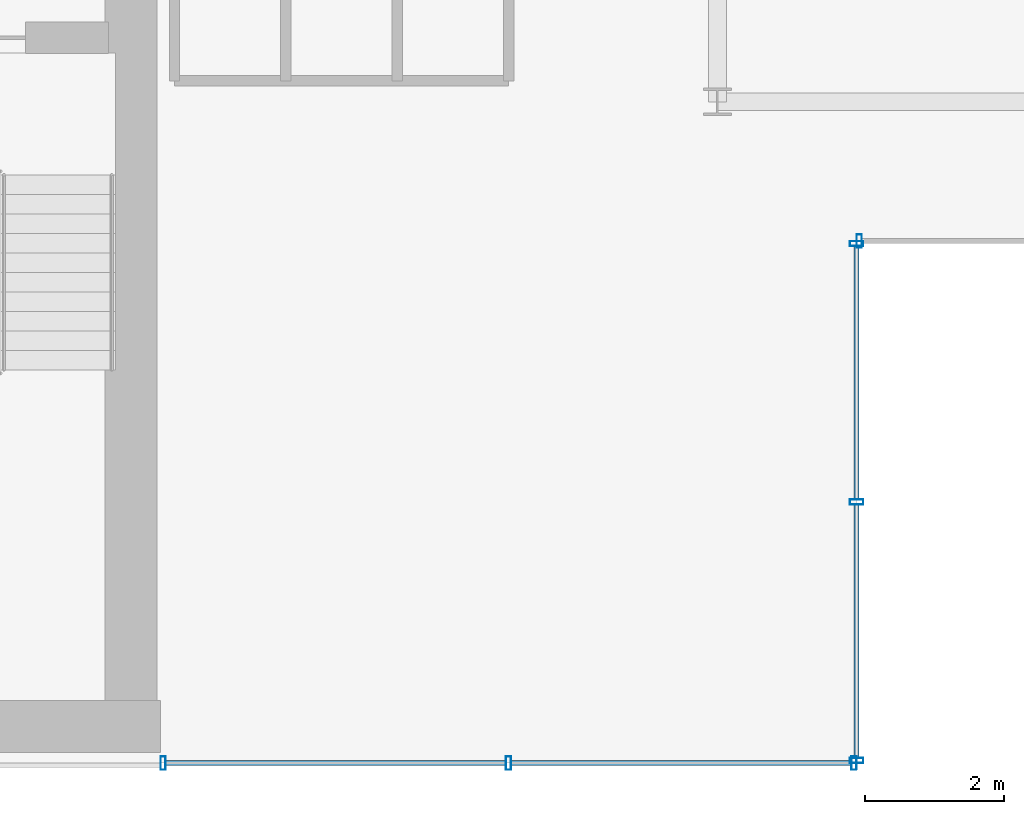
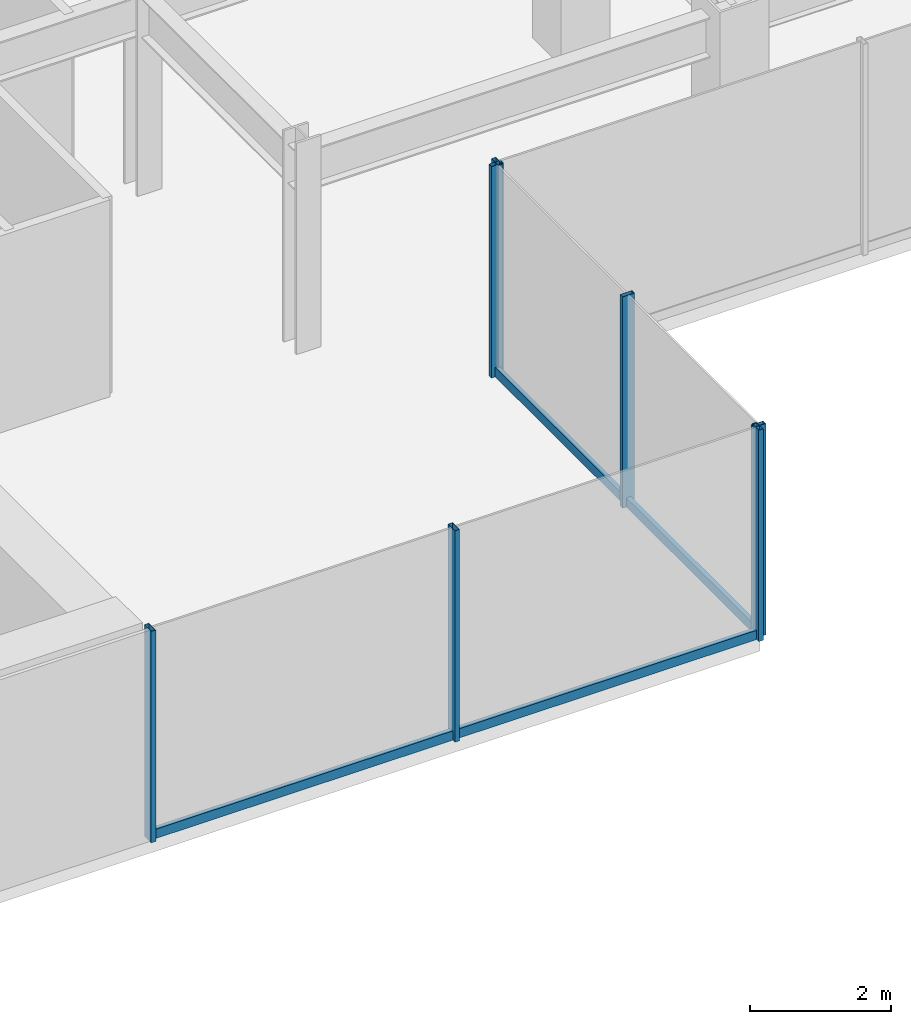
# One storey, part 8 of 26: 11 members, 3 elements without a shape of their own.
"""IFC4 building model written with IfcOpenShell, lengths in metres."""

from ifc_helpers import new_model, si_unit, derived_unit, direction, frame, origin, origin_2d, place, context, subcontext, project, spatial, hollow_rectangle, extrude, source, transform, mapped, material, material_profile, profile_set, type_object, element, aggregate, save


model = new_model("IFC4")

# Units and contexts
model_context = context("Model", 3, precision=1e-05, world=origin(), true_north=direction((0.0, 1.0)))
body_context = subcontext(model_context, "Body", "Model", "MODEL_VIEW")
ifc_project = project(units=[si_unit("LENGTHUNIT", "METRE"), si_unit("AREAUNIT", "SQUARE_METRE"), si_unit("VOLUMEUNIT", "CUBIC_METRE"), si_unit("PLANEANGLEUNIT", "RADIAN"), si_unit("MASSUNIT", "GRAM", prefix="KILO"), derived_unit("THERMALTRANSMITTANCEUNIT", [(si_unit("POWERUNIT", "WATT"), 1), (si_unit("LENGTHUNIT", "METRE"), -2), (si_unit("THERMODYNAMICTEMPERATUREUNIT", "KELVIN"), -1)])], contexts=[model_context])

# Site, building, storey
site_placement = place(None, origin())
site = spatial("IfcSite", under=ifc_project, at=site_placement, CompositionType="ELEMENT")
building_placement = place(site_placement, origin())
building = spatial("IfcBuilding", under=site, at=building_placement, Name="Skarnbrae Concourse Arena and Tower", CompositionType="ELEMENT")
storey_placement = place(building_placement, frame((0.0, 0.0, 99.60009765625)))
storey = spatial("IfcBuildingStorey", under=building, at=storey_placement, Name="L24", CompositionType="ELEMENT", Elevation=99.60009765625)

# Curtain wall, members
ifc_material = material(Name="Bronze anodised aluminium 6063-T6", Category="aluminium")
curtain_wall_type = type_object("IfcCurtainWallType", Name="CW-SYS-04-MIDZONE", PredefinedType="USERDEFINED", material=ifc_material)
curtain_wall_1_placement = place(storey_placement, origin())
curtain_wall_1 = element("IfcCurtainWall", 1, at=curtain_wall_1_placement, inside=storey, type_object=curtain_wall_type, Name="L24 Unitised curtain wall CW-L24-SE-SPINE", ObjectType="UNITISED CURTAIN WALL", PredefinedType="USERDEFINED")
ifc_material_profile_1 = material_profile(ifc_material, hollow_rectangle(XDim=0.074951171875, YDim=0.159912109375, WallThickness=0.00439453125, at=origin_2d()), Name="ALU-TRAN-75X160")
ifc_profile_set_1 = profile_set([ifc_material_profile_1], Name="Bronze anodised aluminium 6063-T6")
member_type_1 = type_object("IfcMemberType", Name="CWT-CW-04", PredefinedType="USERDEFINED", material=ifc_profile_set_1)
shared_shape_1 = source(origin(), body_context, "Body", "SweptSolid", [
    extrude(hollow_rectangle(XDim=0.074951171875, YDim=0.159912109375, WallThickness=0.00439453125, at=origin_2d()), origin(), (0.0, 0.0, 1.0), 4.887451171875),
])
member_1_placement = place(storey_placement, frame((34.074951171875, 0.0, 0.079833984375), z_axis=(1.0, 0.0, 0.0), x_axis=(0.0, 1.0, 0.0)))
member_1 = element("IfcMember", 2, at=member_1_placement, type_object=member_type_1, Name="CW-L24-SE-SPINE Transom 1", ObjectType="TRANSOM", PredefinedType="USERDEFINED", context=body_context, shape_type="MappedRepresentation", body=[
    mapped(shared_shape_1, transform((0.0, 0.0, 0.0))),
])
member_2_placement = place(storey_placement, frame((39.03759765625, 0.0, 0.079833984375), z_axis=(1.0, 0.0, 0.0), x_axis=(0.0, 1.0, 0.0)))
member_2 = element("IfcMember", 3, at=member_2_placement, type_object=member_type_1, Name="CW-L24-SE-SPINE Transom 2", ObjectType="TRANSOM", PredefinedType="USERDEFINED", context=body_context, shape_type="MappedRepresentation", body=[
    mapped(shared_shape_1, transform((0.0, 0.0, 0.0))),
])

curtain_wall_2_placement = place(storey_placement, origin())
curtain_wall_2 = element("IfcCurtainWall", 4, at=curtain_wall_2_placement, inside=storey, type_object=curtain_wall_type, Name="L24 Unitised curtain wall CW-L24-E02", ObjectType="UNITISED CURTAIN WALL", PredefinedType="USERDEFINED")
shared_shape_2 = source(origin(), body_context, "Body", "SweptSolid", [
    extrude(hollow_rectangle(XDim=0.074951171875, YDim=0.159912109375, WallThickness=0.00439453125, at=origin_2d()), origin(), (0.0, 0.0, 1.0), 3.637451171875),
])
member_3_placement = place(storey_placement, frame((44.0, 0.074951171875, 0.079833984375), z_axis=(0.0, 1.0, 0.0), x_axis=(-1.0, 0.0, 0.0)))
member_3 = element("IfcMember", 5, at=member_3_placement, type_object=member_type_1, Name="CW-L24-E02 Transom 1", ObjectType="TRANSOM", PredefinedType="USERDEFINED", context=body_context, shape_type="MappedRepresentation", body=[
    mapped(shared_shape_2, transform((0.0, 0.0, 0.0))),
])
member_4_placement = place(storey_placement, frame((44.0, 3.78759765625, 0.079833984375), z_axis=(0.0, 1.0, 0.0), x_axis=(-1.0, 0.0, 0.0)))
member_4 = element("IfcMember", 6, at=member_4_placement, type_object=member_type_1, Name="CW-L24-E02 Transom 2", ObjectType="TRANSOM", PredefinedType="USERDEFINED", context=body_context, shape_type="MappedRepresentation", body=[
    mapped(shared_shape_2, transform((0.0, 0.0, 0.0))),
])

# Member
ifc_material_profile_2 = material_profile(ifc_material, hollow_rectangle(XDim=0.074951171875, YDim=0.195068359375, WallThickness=0.00439453125, at=origin_2d()), Name="ALU-MULL-75X195")
ifc_profile_set_2 = profile_set([ifc_material_profile_2], Name="Bronze anodised aluminium 6063-T6")
member_type_2 = type_object("IfcMemberType", Name="CWM-CW-04", PredefinedType="MULLION", material=ifc_profile_set_2)
shared_shape_3 = source(origin(), body_context, "Body", "SweptSolid", [
    extrude(hollow_rectangle(XDim=0.074951171875, YDim=0.195068359375, WallThickness=0.00439453125, at=origin_2d()), origin(), (0.0, 0.0, 1.0), 3.64990234375),
])
member_5_placement = place(storey_placement, frame((34.03759765625, 0.0, 0.0), z_axis=(0.0, 0.0, 1.0), x_axis=(1.0, 0.0, 0.0)))
member_5 = element("IfcMember", 7, at=member_5_placement, type_object=member_type_2, Name="CW-L24-SE-SPINE Mullion 1", PredefinedType="MULLION", context=body_context, shape_type="MappedRepresentation", body=[
    mapped(shared_shape_3, transform((0.0, 0.0, 0.0))),
])

member_6_placement = place(storey_placement, frame((39.0, 0.0, 0.0), z_axis=(0.0, 0.0, 1.0), x_axis=(1.0, 0.0, 0.0)))
member_6 = element("IfcMember", 8, at=member_6_placement, type_object=member_type_2, Name="CW-L24-SE-SPINE Mullion 2", PredefinedType="MULLION", context=body_context, shape_type="MappedRepresentation", body=[
    mapped(shared_shape_3, transform((0.0, 0.0, 0.0))),
])

member_7_placement = place(storey_placement, frame((43.96240234375, 0.0, 0.0), z_axis=(0.0, 0.0, 1.0), x_axis=(1.0, 0.0, 0.0)))
member_7 = element("IfcMember", 9, at=member_7_placement, type_object=member_type_2, Name="CW-L24-SE-SPINE Mullion 3", PredefinedType="MULLION", context=body_context, shape_type="MappedRepresentation", body=[
    mapped(shared_shape_3, transform((0.0, 0.0, 0.0))),
])

aggregate(curtain_wall_1, [member_5, member_6, member_7, member_1, member_2])

member_8_placement = place(storey_placement, frame((44.0, 0.03759765625, 0.0), z_axis=(0.0, 0.0, 1.0), x_axis=(0.0, 1.0, 0.0)))
member_8 = element("IfcMember", 10, at=member_8_placement, type_object=member_type_2, Name="CW-L24-E02 Mullion 1", PredefinedType="MULLION", context=body_context, shape_type="MappedRepresentation", body=[
    mapped(shared_shape_3, transform((0.0, 0.0, 0.0))),
])

member_9_placement = place(storey_placement, frame((44.0, 3.75, 0.0), z_axis=(0.0, 0.0, 1.0), x_axis=(0.0, 1.0, 0.0)))
member_9 = element("IfcMember", 11, at=member_9_placement, type_object=member_type_2, Name="CW-L24-E02 Mullion 2", PredefinedType="MULLION", context=body_context, shape_type="MappedRepresentation", body=[
    mapped(shared_shape_3, transform((0.0, 0.0, 0.0))),
])

member_10_placement = place(storey_placement, frame((44.0, 7.46240234375, 0.0), z_axis=(0.0, 0.0, 1.0), x_axis=(0.0, 1.0, 0.0)))
member_10 = element("IfcMember", 12, at=member_10_placement, type_object=member_type_2, Name="CW-L24-E02 Mullion 3", PredefinedType="MULLION", context=body_context, shape_type="MappedRepresentation", body=[
    mapped(shared_shape_3, transform((0.0, 0.0, 0.0))),
])

aggregate(curtain_wall_2, [member_8, member_9, member_10, member_3, member_4])

# Curtain wall, member
curtain_wall_3_placement = place(storey_placement, origin())
curtain_wall_3 = element("IfcCurtainWall", 13, at=curtain_wall_3_placement, inside=storey, type_object=curtain_wall_type, Name="L24 Unitised curtain wall CW-L24-E03", ObjectType="UNITISED CURTAIN WALL", PredefinedType="USERDEFINED")
member_11_placement = place(storey_placement, frame((44.03759765625, 7.5, 0.0), z_axis=(0.0, 0.0, 1.0), x_axis=(1.0, 0.0, 0.0)))
member_11 = element("IfcMember", 14, at=member_11_placement, type_object=member_type_2, Name="CW-L24-E03 Mullion 1", PredefinedType="MULLION", context=body_context, shape_type="MappedRepresentation", body=[
    mapped(shared_shape_3, transform((0.0, 0.0, 0.0))),
])
aggregate(curtain_wall_3, [member_11])

save(model, "model.ifc")
